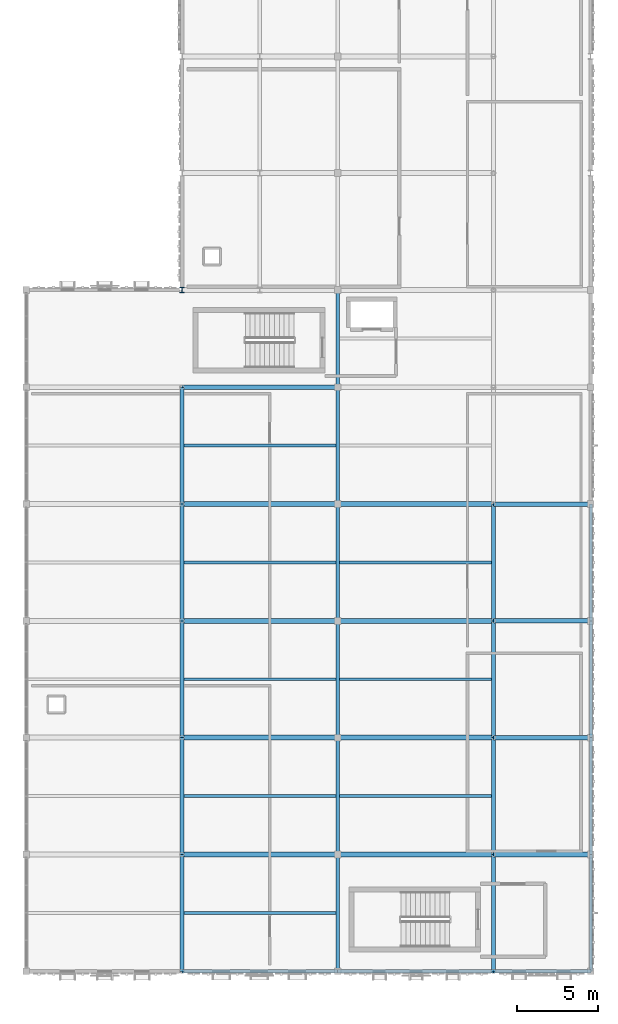
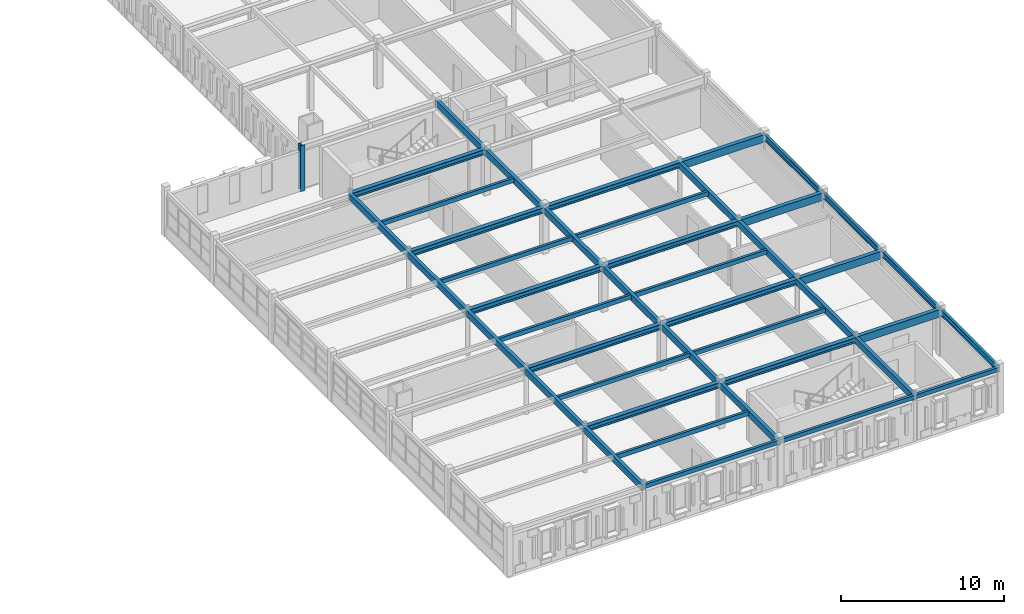
# One storey, part 15 of 46: 43 beams, 1 member.
"""IFC4 building model written with IfcOpenShell, lengths in metres."""

import ifcopenshell
import ifcopenshell.guid

model = None  # the IFC model being written
_history = None  # IfcOwnerHistory: only IFC2X3 demands one
_inside = {}  # id of a spatial element -> (the spatial element, [elements in it])
_under = {}  # id of a project, library or spatial element -> (it, [spatial elements below it])
_declared = {}  # id of a project -> (the project, [libraries it declares])
_typed = {}  # id of a type object -> (the type object, [elements of that type])
_made_of = {}  # id of a material, layer set ... -> (it, [elements and type objects made of it])


def new_model(schema):
    """Start an empty IFC model of exactly this schema.

    Asked for "IFC4X3", IfcOpenShell would pick the latest addendum, in which some entities
    have other attributes; the version numbers below select the first issue.
    IFC2X3 requires an IfcOwnerHistory on every rooted entity: one is made here for all.
    """
    global model, _history
    if schema == "IFC4X3":
        model = ifcopenshell.file(schema_version=(4, 3, 0, 0))
    else:
        model = ifcopenshell.file(schema=schema)
    _inside.clear()
    _under.clear()
    _declared.clear()
    _typed.clear()
    _made_of.clear()
    _history = None
    if model.schema == "IFC2X3":
        org = make("IfcOrganization", Name="unknown")
        user = make(
            "IfcPersonAndOrganization",
            ThePerson=make("IfcPerson", FamilyName="unknown"),
            TheOrganization=org,
        )
        app = make(
            "IfcApplication",
            ApplicationDeveloper=org,
            Version="unknown",
            ApplicationFullName="unknown",
            ApplicationIdentifier="unknown",
        )
        _history = make(
            "IfcOwnerHistory",
            OwningUser=user,
            OwningApplication=app,
            ChangeAction="ADDED",
            CreationDate=0,
        )
    return model


def make(cls, **values):
    """One entity of the class cls with the attributes given. An attribute that is None is left unset."""
    return model.create_entity(
        cls, **{name: value for name, value in values.items() if value is not None}
    )


def rooted(cls, **values):
    """An entity with a GlobalId (a new one), such as an element, a storey or a relation."""
    return make(cls, GlobalId=ifcopenshell.guid.new(), OwnerHistory=_history, **values)


def si_unit(unit_type, name, prefix=None):
    """IfcSIUnit, for example si_unit("LENGTHUNIT", "METRE", prefix="MILLI")."""
    return make("IfcSIUnit", UnitType=unit_type, Prefix=prefix, Name=name)


def assignment(units):
    """IfcUnitAssignment: the units of a project."""
    return None if units is None else make("IfcUnitAssignment", Units=units)


def point(xyz):
    """IfcCartesianPoint."""
    return None if xyz is None else make("IfcCartesianPoint", Coordinates=xyz)


def direction(xyz):
    """IfcDirection."""
    return None if xyz is None else make("IfcDirection", DirectionRatios=xyz)


def frame(location, z_axis=None, x_axis=None):
    """IfcAxis2Placement3D, a coordinate frame: its origin and axes. An axis left out is left unset."""
    return make(
        "IfcAxis2Placement3D",
        Location=point(location),
        Axis=direction(z_axis),
        RefDirection=direction(x_axis),
    )


def frame_2d(location, x_axis=None):
    """IfcAxis2Placement2D, a coordinate frame in the plane: its origin and x axis."""
    return make(
        "IfcAxis2Placement2D", Location=point(location), RefDirection=direction(x_axis)
    )


def origin():
    """The frame at (0, 0, 0) with its axes left unset."""
    return frame((0.0, 0.0, 0.0))


def origin_2d():
    """The frame at (0, 0) in the plane with its x axis left unset."""
    return frame_2d((0.0, 0.0))


def place(relative_to, where):
    """IfcLocalPlacement: puts the frame where relative to a parent placement (None: the world)."""
    return make(
        "IfcLocalPlacement", PlacementRelTo=relative_to, RelativePlacement=where
    )


def context(
    kind, dimensions, precision=None, world=None, true_north=None, identifier=None
):
    """IfcGeometricRepresentationContext, for example the 3D "Model" context."""
    return make(
        "IfcGeometricRepresentationContext",
        ContextIdentifier=identifier,
        ContextType=kind,
        CoordinateSpaceDimension=dimensions,
        Precision=precision,
        WorldCoordinateSystem=world,
        TrueNorth=true_north,
    )


def subcontext(parent, identifier, kind, view, scale=None):
    """IfcGeometricRepresentationSubContext, for example "Body" below "Model"."""
    return make(
        "IfcGeometricRepresentationSubContext",
        ContextIdentifier=identifier,
        ContextType=kind,
        ParentContext=parent,
        TargetScale=scale,
        TargetView=view,
    )


def project(units=None, contexts=None):
    """IfcProject with its units and contexts."""
    return rooted(
        "IfcProject",
        Name="project",
        RepresentationContexts=contexts,
        UnitsInContext=assignment(units),
    )


def spatial(cls, under=None, at=None, **own):
    """A site, building, storey or space (cls), placed at a placement, below another one or the project."""
    s = rooted(cls, ObjectPlacement=at, **own)
    if under is not None:
        _under.setdefault(under.id(), (under, []))[1].append(s)
    return s


def profile(cls, at=None, kind="AREA", **sizes):
    """A parametric profile (cls). Its sizes go by their IFC names, for example OverallWidth=200.0."""
    return make(cls, ProfileType=kind, Position=at, **sizes)


def rectangle(**sizes):
    """IfcRectangleProfileDef."""
    return profile("IfcRectangleProfileDef", **sizes)


def hollow_rectangle(**sizes):
    """IfcRectangleHollowProfileDef."""
    return profile("IfcRectangleHollowProfileDef", **sizes)


def i_section(**sizes):
    """IfcIShapeProfileDef."""
    return profile("IfcIShapeProfileDef", **sizes)


def extrude(swept, where, along, depth):
    """IfcExtrudedAreaSolid: the profile swept, set in the frame where, extruded along a direction by depth."""
    return make(
        "IfcExtrudedAreaSolid",
        SweptArea=swept,
        Position=where,
        ExtrudedDirection=direction(along),
        Depth=depth,
    )


def shape(context_of_items, identifier, shape_type, items):
    """IfcShapeRepresentation: the items that make up one representation, for example the "Body"."""
    return make(
        "IfcShapeRepresentation",
        ContextOfItems=context_of_items,
        RepresentationIdentifier=identifier,
        RepresentationType=shape_type,
        Items=items,
    )


def material(Name=None, Category=None):
    """IfcMaterial."""
    return make("IfcMaterial", Name=Name, Category=Category)


def material_profile(
    of_material, cross_section, Name=None, Category=None, Priority=None
):
    """IfcMaterialProfile: a cross section and its material."""
    return make(
        "IfcMaterialProfile",
        Name=Name,
        Material=of_material,
        Profile=cross_section,
        Priority=Priority,
        Category=Category,
    )


def profile_set(profiles, Name=None, composite=None):
    """IfcMaterialProfileSet."""
    return make(
        "IfcMaterialProfileSet",
        Name=Name,
        MaterialProfiles=profiles,
        CompositeProfile=composite,
    )


def made_of(thing, what):
    """Note that an element or type object is made of a material, layer set ...; save() writes the relation."""
    if what is not None:
        _made_of.setdefault(what.id(), (what, []))[1].append(thing)
    return thing


def type_object(cls, material=None, **own):
    """A type object (cls), such as IfcWallType, which elements share."""
    return made_of(rooted(cls, **own), material)


def element(
    cls,
    number,
    at=None,
    inside=None,
    cuts=None,
    type_object=None,
    material=None,
    context=None,
    identifier="Body",
    shape_type=None,
    held_by="IfcProductDefinitionShape",
    body=None,
    shapes=None,
    **own,
):
    """One element of the class cls, such as IfcWall. Its Tag is "e" and its number.

    at: its placement. inside: the storey or other place that contains it. cuts: it is an
    opening in that element (IfcRelVoidsElement). A single representation is given by context,
    identifier, shape_type and body (its items); several are given by shapes. held_by: the class
    of the entity that holds the representations. save() writes the other relations.
    """
    e = rooted(cls, Tag="e%d" % number, ObjectPlacement=at, **own)
    if body is not None:
        shapes = [shape(context, identifier, shape_type, body)]
    if shapes is not None:
        e.Representation = make(held_by, Representations=shapes)
    if inside is not None:
        _inside.setdefault(inside.id(), (inside, []))[1].append(e)
    if cuts is not None:
        rooted(
            "IfcRelVoidsElement", RelatingBuildingElement=cuts, RelatedOpeningElement=e
        )
    if type_object is not None:
        _typed.setdefault(type_object.id(), (type_object, []))[1].append(e)
    return made_of(e, material)


def aggregate(whole, parts):
    """IfcRelAggregates: a whole, such as a stair, and the parts it consists of."""
    return rooted("IfcRelAggregates", RelatingObject=whole, RelatedObjects=parts)


def save(model, path):
    """Write the relations noted so far, then the file.

    IfcRelAggregates (storeys below a building ...), IfcRelContainedInSpatialStructure (elements
    in a storey), IfcRelDefinesByType, IfcRelAssociatesMaterial and IfcRelDeclares: one each for
    every whole, place, type object, material and project.
    """
    for whole, parts in _under.values():
        aggregate(whole, parts)
    for where, things in _inside.values():
        rooted(
            "IfcRelContainedInSpatialStructure",
            RelatedElements=things,
            RelatingStructure=where,
        )
    for kind, things in _typed.values():
        rooted("IfcRelDefinesByType", RelatedObjects=things, RelatingType=kind)
    for what, things in _made_of.values():
        rooted("IfcRelAssociatesMaterial", RelatedObjects=things, RelatingMaterial=what)
    for by, libraries in _declared.values():
        rooted("IfcRelDeclares", RelatingContext=by, RelatedDefinitions=libraries)
    model.write(path)


model = new_model("IFC4")

# Units and contexts
model_context = context("Model", 3, precision=1e-05, world=origin(), true_north=direction((0.0, 1.0)))
body_context = subcontext(model_context, "Body", "Model", "MODEL_VIEW")
ifc_project = project(units=[si_unit("LENGTHUNIT", "METRE"), si_unit("AREAUNIT", "SQUARE_METRE"), si_unit("VOLUMEUNIT", "CUBIC_METRE"), si_unit("PLANEANGLEUNIT", "RADIAN"), si_unit("MASSUNIT", "GRAM", prefix="KILO")], contexts=[model_context])

# Site, building, storey
site_placement = place(None, origin())
site = spatial("IfcSite", under=ifc_project, at=site_placement, CompositionType="ELEMENT")
building_placement = place(site_placement, origin())
building = spatial("IfcBuilding", under=site, at=building_placement, Name="Nzembalo Square Collegiate School", CompositionType="ELEMENT")
storey_placement = place(building_placement, frame((0.0, 0.0, 17.340087890625)))
storey = spatial("IfcBuildingStorey", under=building, at=storey_placement, Name="L04", CompositionType="ELEMENT", Elevation=17.340087890625)

# Beams
ifc_material_1 = material(Name="Glulam GL28h", Category="wood")
ifc_material_profile_1 = material_profile(ifc_material_1, rectangle(XDim=0.280029296875, YDim=0.56005859375, at=origin_2d()), Name="GL28h 280x560")
ifc_profile_set_1 = profile_set([ifc_material_profile_1], Name="Glulam GL28h")
beam_type_1 = type_object("IfcBeamType", Name="B05", PredefinedType="BEAM", material=ifc_profile_set_1)
for number, where, z_axis, x_axis, name in (
    (1, (159.60009765625, 15.60009765625, 3.155029296875), (1.0, 0.0, 0.0), (0.0, 1.0, 0.0), "Beam B05 L04"),
    (2, (159.60009765625, 22.800048828125, 3.155029296875), (1.0, 0.0, 0.0), (0.0, 1.0, 0.0), "Beam B05 L04"),
    (3, (159.60009765625, 30.0, 3.155029296875), (1.0, 0.0, 0.0), (0.0, 1.0, 0.0), "Beam B05 L04"),
    (4, (159.60009765625, 37.199951171875, 3.155029296875), (1.0, 0.0, 0.0), (0.0, 1.0, 0.0), "Beam B05 L04"),
):
    element("IfcBeam", number, at=place(storey_placement, frame(where, z_axis=z_axis, x_axis=x_axis)), inside=storey, type_object=beam_type_1, Name=name, PredefinedType="BEAM", context=body_context, shape_type="SweptSolid", body=[
        extrude(rectangle(XDim=0.280029296875, YDim=0.56005859375, at=origin_2d()), origin(), (0.0, 0.0, 1.0), 6.0),
    ])
ifc_material_2 = material(Name="Glulam GL28h", Category="wood")
ifc_material_profile_2 = material_profile(ifc_material_2, rectangle(XDim=0.239990234375, YDim=0.47998046875, at=origin_2d()), Name="GL28h 240x480")
ifc_profile_set_2 = profile_set([ifc_material_profile_2], Name="Glulam GL28h")
beam_type_2 = type_object("IfcBeamType", Name="B06", PredefinedType="BEAM", material=ifc_profile_set_2)
beam_1_placement = place(storey_placement, frame((140.39990234375, 8.39990234375, 3.19482421875), z_axis=(0.0, 1.0, 0.0), x_axis=(-1.0, 0.0, 0.0)))
element("IfcBeam", 5, at=beam_1_placement, inside=storey, type_object=beam_type_2, Name="Beam B06 L04", PredefinedType="BEAM", context=body_context, shape_type="SweptSolid", body=[
    extrude(rectangle(XDim=0.239990234375, YDim=0.47998046875, at=origin_2d()), origin(), (0.0, 0.0, 1.0), 7.2001953125),
])
for number, where, z_axis, x_axis, name in (
    (6, (140.39990234375, 15.60009765625, 3.19482421875), (0.0, 1.0, 0.0), (-1.0, 0.0, 0.0), "Beam B06 L04"),
    (7, (140.39990234375, 22.800048828125, 3.19482421875), (0.0, 1.0, 0.0), (-1.0, 0.0, 0.0), "Beam B06 L04"),
    (8, (140.39990234375, 30.0, 3.19482421875), (0.0, 1.0, 0.0), (-1.0, 0.0, 0.0), "Beam B06 L04"),
    (9, (140.39990234375, 37.199951171875, 3.19482421875), (0.0, 1.0, 0.0), (-1.0, 0.0, 0.0), "Beam B06 L04"),
):
    element("IfcBeam", number, at=place(storey_placement, frame(where, z_axis=z_axis, x_axis=x_axis)), inside=storey, type_object=beam_type_2, Name=name, PredefinedType="BEAM", context=body_context, shape_type="SweptSolid", body=[
        extrude(rectangle(XDim=0.239990234375, YDim=0.47998046875, at=origin_2d()), origin(), (0.0, 0.0, 1.0), 7.199951171875),
    ])
beam_2_placement = place(storey_placement, frame((150.0, 8.39990234375, 3.19482421875), z_axis=(0.0, 1.0, 0.0), x_axis=(-1.0, 0.0, 0.0)))
element("IfcBeam", 10, at=beam_2_placement, inside=storey, type_object=beam_type_2, Name="Beam B06 L04", PredefinedType="BEAM", context=body_context, shape_type="SweptSolid", body=[
    extrude(rectangle(XDim=0.239990234375, YDim=0.47998046875, at=origin_2d()), origin(), (0.0, 0.0, 1.0), 7.2001953125),
])
for number, where, z_axis, x_axis, name in (
    (11, (150.0, 15.60009765625, 3.19482421875), (0.0, 1.0, 0.0), (-1.0, 0.0, 0.0), "Beam B06 L04"),
    (12, (150.0, 22.800048828125, 3.19482421875), (0.0, 1.0, 0.0), (-1.0, 0.0, 0.0), "Beam B06 L04"),
    (13, (150.0, 30.0, 3.19482421875), (0.0, 1.0, 0.0), (-1.0, 0.0, 0.0), "Beam B06 L04"),
    (14, (150.0, 37.199951171875, 3.19482421875), (0.0, 1.0, 0.0), (-1.0, 0.0, 0.0), "Beam B06 L04"),
):
    element("IfcBeam", number, at=place(storey_placement, frame(where, z_axis=z_axis, x_axis=x_axis)), inside=storey, type_object=beam_type_2, Name=name, PredefinedType="BEAM", context=body_context, shape_type="SweptSolid", body=[
        extrude(rectangle(XDim=0.239990234375, YDim=0.47998046875, at=origin_2d()), origin(), (0.0, 0.0, 1.0), 7.199951171875),
    ])
beam_3_placement = place(storey_placement, frame((150.0, 44.39990234375, 3.19482421875), z_axis=(0.0, 1.0, 0.0), x_axis=(-1.0, 0.0, 0.0)))
element("IfcBeam", 15, at=beam_3_placement, inside=storey, type_object=beam_type_2, Name="Beam B06 L04", PredefinedType="BEAM", context=body_context, shape_type="SweptSolid", body=[
    extrude(rectangle(XDim=0.239990234375, YDim=0.47998046875, at=origin_2d()), origin(), (0.0, 0.0, 1.0), 6.0),
])
beam_4_placement = place(storey_placement, frame((159.60009765625, 8.39990234375, 3.19482421875), z_axis=(0.0, 1.0, 0.0), x_axis=(-1.0, 0.0, 0.0)))
element("IfcBeam", 16, at=beam_4_placement, inside=storey, type_object=beam_type_2, Name="Beam B06 L04", PredefinedType="BEAM", context=body_context, shape_type="SweptSolid", body=[
    extrude(rectangle(XDim=0.239990234375, YDim=0.47998046875, at=origin_2d()), origin(), (0.0, 0.0, 1.0), 7.2001953125),
])
for number, where, z_axis, x_axis, name in (
    (17, (159.60009765625, 15.60009765625, 3.19482421875), (0.0, 1.0, 0.0), (-1.0, 0.0, 0.0), "Beam B06 L04"),
    (18, (159.60009765625, 22.800048828125, 3.19482421875), (0.0, 1.0, 0.0), (-1.0, 0.0, 0.0), "Beam B06 L04"),
    (19, (159.60009765625, 30.0, 3.19482421875), (0.0, 1.0, 0.0), (-1.0, 0.0, 0.0), "Beam B06 L04"),
):
    element("IfcBeam", number, at=place(storey_placement, frame(where, z_axis=z_axis, x_axis=x_axis)), inside=storey, type_object=beam_type_2, Name=name, PredefinedType="BEAM", context=body_context, shape_type="SweptSolid", body=[
        extrude(rectangle(XDim=0.239990234375, YDim=0.47998046875, at=origin_2d()), origin(), (0.0, 0.0, 1.0), 7.199951171875),
    ])
ifc_material_3 = material(Name="Steel S355", Category="steel")
ifc_material_profile_3 = material_profile(ifc_material_3, i_section(OverallWidth=0.18994140625, OverallDepth=0.449951171875, WebThickness=0.009521484375, FlangeThickness=0.0146484375, at=origin_2d()), Name="IPE 450")
ifc_profile_set_3 = profile_set([ifc_material_profile_3], Name="Steel S355")
beam_type_3 = type_object("IfcBeamType", Name="B09", PredefinedType="BEAM", material=ifc_profile_set_3)
beam_5_placement = place(storey_placement, frame((165.60009765625, 8.39990234375, 3.2099609375), z_axis=(0.0, 1.0, 0.0), x_axis=(-1.0, 0.0, 0.0)))
element("IfcBeam", 20, at=beam_5_placement, inside=storey, type_object=beam_type_3, Name="Beam B09 L04", PredefinedType="BEAM", context=body_context, shape_type="SweptSolid", body=[
    extrude(i_section(OverallWidth=0.18994140625, OverallDepth=0.449951171875, WebThickness=0.009521484375, FlangeThickness=0.0146484375, at=origin_2d()), origin(), (0.0, 0.0, 1.0), 7.2001953125),
])
for number, where, z_axis, x_axis, name in (
    (21, (165.60009765625, 15.60009765625, 3.2099609375), (0.0, 1.0, 0.0), (-1.0, 0.0, 0.0), "Beam B09 L04"),
    (22, (165.60009765625, 22.800048828125, 3.2099609375), (0.0, 1.0, 0.0), (-1.0, 0.0, 0.0), "Beam B09 L04"),
    (23, (165.60009765625, 30.0, 3.2099609375), (0.0, 1.0, 0.0), (-1.0, 0.0, 0.0), "Beam B09 L04"),
):
    element("IfcBeam", number, at=place(storey_placement, frame(where, z_axis=z_axis, x_axis=x_axis)), inside=storey, type_object=beam_type_3, Name=name, PredefinedType="BEAM", context=body_context, shape_type="SweptSolid", body=[
        extrude(i_section(OverallWidth=0.18994140625, OverallDepth=0.449951171875, WebThickness=0.009521484375, FlangeThickness=0.0146484375, at=origin_2d()), origin(), (0.0, 0.0, 1.0), 7.199951171875),
    ])
ifc_material_4 = material(Name="Steel S355", Category="steel")
ifc_material_profile_4 = material_profile(ifc_material_4, i_section(OverallWidth=0.300048828125, OverallDepth=0.39990234375, WebThickness=0.013427734375, FlangeThickness=0.02392578125, at=origin_2d()), Name="HEB 400")
ifc_profile_set_4 = profile_set([ifc_material_profile_4], Name="Steel S355")
beam_type_4 = type_object("IfcBeamType", Name="B10", PredefinedType="BEAM", material=ifc_profile_set_4)
for number, where, z_axis, x_axis, name in (
    (24, (140.39990234375, 15.60009765625, 3.23486328125), (1.0, 0.0, 0.0), (0.0, 1.0, 0.0), "Beam B10 L04"),
    (25, (150.0, 15.60009765625, 3.23486328125), (1.0, 0.0, 0.0), (0.0, 1.0, 0.0), "Beam B10 L04"),
    (26, (140.39990234375, 22.800048828125, 3.23486328125), (1.0, 0.0, 0.0), (0.0, 1.0, 0.0), "Beam B10 L04"),
    (27, (150.0, 22.800048828125, 3.23486328125), (1.0, 0.0, 0.0), (0.0, 1.0, 0.0), "Beam B10 L04"),
    (28, (140.39990234375, 30.0, 3.23486328125), (1.0, 0.0, 0.0), (0.0, 1.0, 0.0), "Beam B10 L04"),
    (29, (150.0, 30.0, 3.23486328125), (1.0, 0.0, 0.0), (0.0, 1.0, 0.0), "Beam B10 L04"),
    (30, (140.39990234375, 37.199951171875, 3.23486328125), (1.0, 0.0, 0.0), (0.0, 1.0, 0.0), "Beam B10 L04"),
    (31, (150.0, 37.199951171875, 3.23486328125), (1.0, 0.0, 0.0), (0.0, 1.0, 0.0), "Beam B10 L04"),
    (32, (140.39990234375, 44.39990234375, 3.23486328125), (1.0, 0.0, 0.0), (0.0, 1.0, 0.0), "Beam B10 L04"),
):
    element("IfcBeam", number, at=place(storey_placement, frame(where, z_axis=z_axis, x_axis=x_axis)), inside=storey, type_object=beam_type_4, Name=name, PredefinedType="BEAM", context=body_context, shape_type="SweptSolid", body=[
        extrude(i_section(OverallWidth=0.300048828125, OverallDepth=0.39990234375, WebThickness=0.013427734375, FlangeThickness=0.02392578125, at=origin_2d()), origin(), (0.0, 0.0, 1.0), 9.60009765625),
    ])
ifc_material_5 = material(Name="Glulam GL28h", Category="wood")
ifc_material_profile_5 = material_profile(ifc_material_5, rectangle(XDim=0.179931640625, YDim=0.320068359375, at=origin_2d()), Name="GL28h 180x320")
ifc_profile_set_5 = profile_set([ifc_material_profile_5], Name="Glulam GL28h")
beam_type_5 = type_object("IfcBeamType", Name="J02", PredefinedType="JOIST", material=ifc_profile_set_5)
for number, where, z_axis, x_axis, name in (
    (33, (140.52001953125, 12.0, 3.27490234375), (1.0, 0.0, 0.0), (0.0, 1.0, 0.0), "Secondary joist J02 L04"),
    (34, (140.52001953125, 19.199951171875, 3.27490234375), (1.0, 0.0, 0.0), (0.0, 1.0, 0.0), "Secondary joist J02 L04"),
    (35, (140.52001953125, 26.39990234375, 3.27490234375), (1.0, 0.0, 0.0), (0.0, 1.0, 0.0), "Secondary joist J02 L04"),
    (36, (140.52001953125, 33.60009765625, 3.27490234375), (1.0, 0.0, 0.0), (0.0, 1.0, 0.0), "Secondary joist J02 L04"),
    (37, (140.52001953125, 40.800048828125, 3.27490234375), (1.0, 0.0, 0.0), (0.0, 1.0, 0.0), "Secondary joist J02 L04"),
    (38, (150.1201171875, 19.199951171875, 3.27490234375), (1.0, 0.0, 0.0), (0.0, 1.0, 0.0), "Secondary joist J02 L04"),
    (39, (150.1201171875, 26.39990234375, 3.27490234375), (1.0, 0.0, 0.0), (0.0, 1.0, 0.0), "Secondary joist J02 L04"),
    (40, (150.1201171875, 33.60009765625, 3.27490234375), (1.0, 0.0, 0.0), (0.0, 1.0, 0.0), "Secondary joist J02 L04"),
):
    element("IfcBeam", number, at=place(storey_placement, frame(where, z_axis=z_axis, x_axis=x_axis)), inside=storey, type_object=beam_type_5, Name=name, PredefinedType="JOIST", context=body_context, shape_type="SweptSolid", body=[
        extrude(rectangle(XDim=0.179931640625, YDim=0.320068359375, at=origin_2d()), origin(), (0.0, 0.0, 1.0), 9.35986328125),
    ])
ifc_material_6 = material(Name="Steel S355", Category="steel")
ifc_material_profile_6 = material_profile(ifc_material_6, hollow_rectangle(XDim=0.199951171875, YDim=0.300048828125, WallThickness=0.011962890625, at=origin_2d()), Name="RHS 300x200x12")
ifc_profile_set_6 = profile_set([ifc_material_profile_6], Name="Steel S355")
beam_type_6 = type_object("IfcBeamType", Name="SP03", PredefinedType="SPANDREL", material=ifc_profile_set_6)
for number, where, z_axis, x_axis, name in (
    (41, (140.39990234375, 8.39990234375, 3.284912109375), (1.0, 0.0, 0.0), (0.0, 1.0, 0.0), "Beam SP03 L04"),
    (42, (150.0, 8.39990234375, 3.284912109375), (1.0, 0.0, 0.0), (0.0, 1.0, 0.0), "Beam SP03 L04"),
):
    element("IfcBeam", number, at=place(storey_placement, frame(where, z_axis=z_axis, x_axis=x_axis)), inside=storey, type_object=beam_type_6, Name=name, PredefinedType="SPANDREL", context=body_context, shape_type="SweptSolid", body=[
        extrude(hollow_rectangle(XDim=0.199951171875, YDim=0.300048828125, WallThickness=0.011962890625, at=origin_2d()), origin(), (0.0, 0.0, 1.0), 9.60009765625),
    ])
beam_6_placement = place(storey_placement, frame((159.60009765625, 8.39990234375, 3.284912109375), z_axis=(1.0, 0.0, 0.0), x_axis=(0.0, 1.0, 0.0)))
element("IfcBeam", 43, at=beam_6_placement, inside=storey, type_object=beam_type_6, Name="Beam SP03 L04", PredefinedType="SPANDREL", context=body_context, shape_type="SweptSolid", body=[
    extrude(hollow_rectangle(XDim=0.199951171875, YDim=0.300048828125, WallThickness=0.011962890625, at=origin_2d()), origin(), (0.0, 0.0, 1.0), 6.0),
])

# Member
ifc_material_7 = material(Name="Steel S355", Category="steel")
ifc_material_profile_7 = material_profile(ifc_material_7, i_section(OverallWidth=0.300048828125, OverallDepth=0.340087890625, WebThickness=0.011962890625, FlangeThickness=0.021484375, at=origin_2d()), Name="HEB 340")
ifc_profile_set_7 = profile_set([ifc_material_profile_7], Name="Steel S355")
member_type = type_object("IfcMemberType", Name="TP03", PredefinedType="POST", material=ifc_profile_set_7)
member_placement = place(storey_placement, frame((140.39990234375, 50.39990234375, 0.0), z_axis=(0.0, 0.0, 1.0), x_axis=(1.0, 0.0, 0.0)))
element("IfcMember", 44, at=member_placement, inside=storey, type_object=member_type, Name="TT-4B-01 upper pavilion post L04-4", PredefinedType="POST", context=body_context, shape_type="SweptSolid", body=[
    extrude(i_section(OverallWidth=0.300048828125, OverallDepth=0.340087890625, WebThickness=0.011962890625, FlangeThickness=0.021484375, at=origin_2d()), origin(), (0.0, 0.0, 1.0), 3.434814453125),
])

save(model, "model.ifc")
